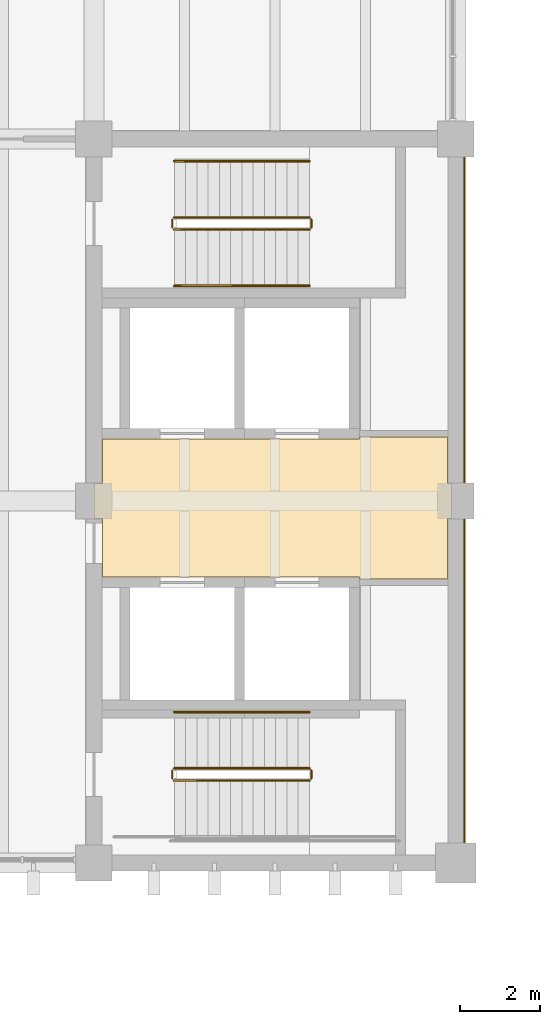
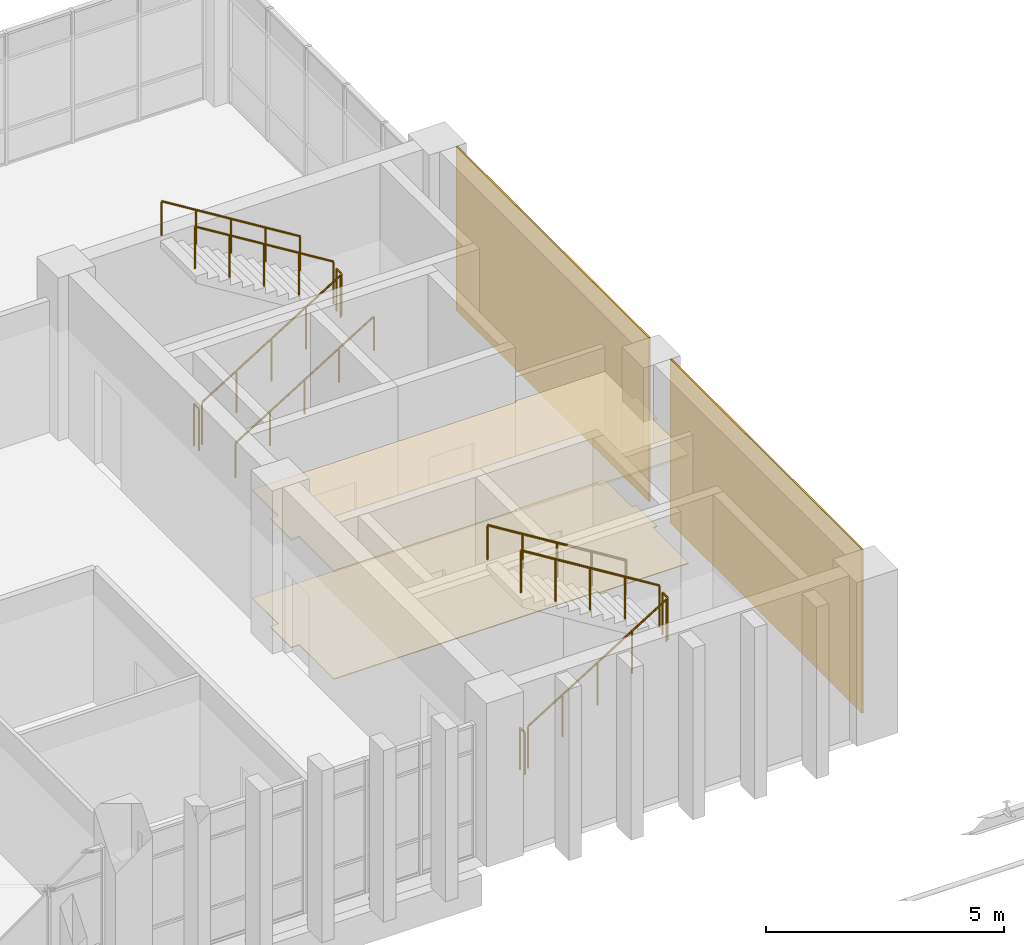
# One storey, part 73 of 74: 11 railings, 4 coverings.
"""IFC4 building model written with IfcOpenShell, lengths in metres."""

from ifc_helpers import new_model, si_unit, direction, frame, origin, origin_2d, place, context, subcontext, project, spatial, polyline, rectangle, circle, outline, extrude, material, layer, layer_set, type_object, element, save


model = new_model("IFC4")

# Units and contexts
model_context = context("Model", 3, precision=1e-05, world=origin(), true_north=direction((0.0, 1.0)))
body_context = subcontext(model_context, "Body", "Model", "MODEL_VIEW")
ifc_project = project(units=[si_unit("LENGTHUNIT", "METRE"), si_unit("AREAUNIT", "SQUARE_METRE"), si_unit("VOLUMEUNIT", "CUBIC_METRE"), si_unit("PLANEANGLEUNIT", "RADIAN"), si_unit("MASSUNIT", "GRAM", prefix="KILO")], contexts=[model_context])

# Site, building, storey
site_placement = place(None, origin())
site = spatial("IfcSite", under=ifc_project, at=site_placement, CompositionType="ELEMENT")
building_placement = place(site_placement, origin())
building = spatial("IfcBuilding", under=site, at=building_placement, Name="Merrow Basin Faculty of Sciences", CompositionType="ELEMENT")
storey_placement = place(building_placement, frame((0.0, 0.0, 13.5)))
storey = spatial("IfcBuildingStorey", under=building, at=storey_placement, Name="L03", CompositionType="ELEMENT", Elevation=13.5)

# Covering
ifc_material_1 = material(Name="Polished terrazzo floor")
ifc_layer_1 = layer(ifc_material_1, 0.02001953125)
ifc_layer_set_1 = layer_set([ifc_layer_1], Name="Polished terrazzo floor")
covering_type_1 = type_object("IfcCoveringType", Name="Polished terrazzo floor", PredefinedType="FLOORING", material=ifc_layer_set_1)
covering_1_placement = place(storey_placement, origin())
element("IfcCovering", 1, at=covering_1_placement, inside=storey, type_object=covering_type_1, Name="Floor finish L03-T-007", PredefinedType="FLOORING", context=body_context, shape_type="SweptSolid", body=[
    extrude(outline(polyline([(45.010009765625, 151.43994140625), (45.2099609375, 151.43994140625), (45.2099609375, 152.5400390625), (51.610107421875, 152.5400390625), (51.610107421875, 152.590087890625), (53.7900390625, 152.590087890625), (53.7900390625, 151.43994140625), (53.889892578125, 151.43994140625), (53.889892578125, 150.56005859375), (53.7900390625, 150.56005859375), (53.7900390625, 149.06005859375), (51.610107421875, 149.06005859375), (51.610107421875, 149.110107421875), (45.2099609375, 149.110107421875), (45.2099609375, 150.56005859375), (45.010009765625, 150.56005859375), (45.010009765625, 151.43994140625)])), origin(), (0.0, 0.0, 1.0), 0.02001953125),
])

# Railings
ifc_material_2 = material(Name="Steel ASTM A36", Category="steel")
railing_type_1 = type_object("IfcRailingType", Name="Steel guard 1100", PredefinedType="GUARDRAIL", material=ifc_material_2)
railing_1_placement = place(storey_placement, frame((47.0, 157.75, 0.173095703125)))
element("IfcRailing", 2, at=railing_1_placement, inside=storey, type_object=railing_type_1, Name="L03 ST-V5-S stair guard 1", PredefinedType="GUARDRAIL", context=body_context, shape_type="SweptSolid", body=[
    extrude(circle(Radius=0.02392578125, at=origin_2d()), frame((0.0, 0.0, 1.076171875), z_axis=(0.850623216509, 0.0, 0.525775754039), x_axis=(0.0, 1.0, 0.0)), (0.0, 0.0, 1.0), 3.9501953125),
    extrude(circle(Radius=0.02099609375, at=origin_2d()), origin(), (0.0, 0.0, 1.0), 1.052001953125),
    extrude(circle(Radius=0.02099609375, at=origin_2d()), frame((0.840087890625, 0.0, 0.519287109375)), (0.0, 0.0, 1.0), 1.052001953125),
    extrude(circle(Radius=0.02099609375, at=origin_2d()), frame((1.68017578125, 0.0, 1.03857421875)), (0.0, 0.0, 1.0), 1.052001953125),
    extrude(circle(Radius=0.02099609375, at=origin_2d()), frame((2.52001953125, 0.0, 1.5576171875)), (0.0, 0.0, 1.0), 1.052001953125),
    extrude(circle(Radius=0.02099609375, at=origin_2d()), frame((3.360107421875, 0.0, 2.076904296875)), (0.0, 0.0, 1.0), 1.052001953125),
])
railing_2_placement = place(storey_placement, frame((50.409912109375, 157.800048828125, 2.25)))
element("IfcRailing", 3, at=railing_2_placement, inside=storey, type_object=railing_type_1, Name="L03 ST-V5-S stair guard 2", PredefinedType="GUARDRAIL", context=body_context, shape_type="SweptSolid", body=[
    extrude(circle(Radius=0.02392578125, at=origin_2d()), frame((0.0, 0.0, 1.076171875), z_axis=(0.0, 1.0, 0.0), x_axis=(-1.0, 0.0, 0.0)), (0.0, 0.0, 1.0), 0.199951171875),
    extrude(circle(Radius=0.02099609375, at=origin_2d()), origin(), (0.0, 0.0, 1.0), 1.052001953125),
    extrude(circle(Radius=0.02099609375, at=origin_2d()), frame((0.0, 0.199951171875, 0.0)), (0.0, 0.0, 1.0), 1.052001953125),
])
railing_3_placement = place(storey_placement, frame((50.360107421875, 158.050048828125, 2.423095703125)))
element("IfcRailing", 4, at=railing_3_placement, inside=storey, type_object=railing_type_1, Name="L03 ST-V5-S stair guard 3", PredefinedType="GUARDRAIL", context=body_context, shape_type="SweptSolid", body=[
    extrude(circle(Radius=0.02392578125, at=origin_2d()), frame((0.0, 0.0, 1.076171875), z_axis=(-0.850623216509, 0.0, 0.525775754039), x_axis=(0.0, -1.0, 0.0)), (0.0, 0.0, 1.0), 3.9501953125),
    extrude(circle(Radius=0.02099609375, at=origin_2d()), origin(), (0.0, 0.0, 1.0), 1.052001953125),
    extrude(circle(Radius=0.02099609375, at=origin_2d()), frame((-0.840087890625, 0.0, 0.519287109375)), (0.0, 0.0, 1.0), 1.052001953125),
    extrude(circle(Radius=0.02099609375, at=origin_2d()), frame((-1.68017578125, 0.0, 1.03857421875)), (0.0, 0.0, 1.0), 1.052001953125),
    extrude(circle(Radius=0.02099609375, at=origin_2d()), frame((-2.52001953125, 0.0, 1.5576171875)), (0.0, 0.0, 1.0), 1.052001953125),
    extrude(circle(Radius=0.02099609375, at=origin_2d()), frame((-3.360107421875, 0.0, 2.076904296875)), (0.0, 0.0, 1.0), 1.052001953125),
])
railing_4_placement = place(storey_placement, frame((46.949951171875, 157.800048828125, 0.0)))
element("IfcRailing", 5, at=railing_4_placement, inside=storey, type_object=railing_type_1, Name="L03 ST-V5-S stair guard 4", PredefinedType="GUARDRAIL", context=body_context, shape_type="SweptSolid", body=[
    extrude(circle(Radius=0.02392578125, at=origin_2d()), frame((0.0, 0.0, 1.076171875), z_axis=(0.0, 1.0, 0.0), x_axis=(-1.0, 0.0, 0.0)), (0.0, 0.0, 1.0), 0.199951171875),
    extrude(circle(Radius=0.02099609375, at=origin_2d()), origin(), (0.0, 0.0, 1.0), 1.052001953125),
    extrude(circle(Radius=0.02099609375, at=origin_2d()), frame((0.0, 0.199951171875, 0.0)), (0.0, 0.0, 1.0), 1.052001953125),
])
railing_5_placement = place(storey_placement, frame((47.0, 144.050048828125, 0.173095703125)))
element("IfcRailing", 6, at=railing_5_placement, inside=storey, type_object=railing_type_1, Name="L03 ST-V5-N stair guard 1", PredefinedType="GUARDRAIL", context=body_context, shape_type="SweptSolid", body=[
    extrude(circle(Radius=0.02392578125, at=origin_2d()), frame((0.0, 0.0, 1.076171875), z_axis=(0.850623216509, 0.0, 0.525775754039), x_axis=(0.0, 1.0, 0.0)), (0.0, 0.0, 1.0), 3.9501953125),
    extrude(circle(Radius=0.02099609375, at=origin_2d()), origin(), (0.0, 0.0, 1.0), 1.052001953125),
    extrude(circle(Radius=0.02099609375, at=origin_2d()), frame((0.840087890625, 0.0, 0.519287109375)), (0.0, 0.0, 1.0), 1.052001953125),
    extrude(circle(Radius=0.02099609375, at=origin_2d()), frame((1.68017578125, 0.0, 1.03857421875)), (0.0, 0.0, 1.0), 1.052001953125),
    extrude(circle(Radius=0.02099609375, at=origin_2d()), frame((2.52001953125, 0.0, 1.5576171875)), (0.0, 0.0, 1.0), 1.052001953125),
    extrude(circle(Radius=0.02099609375, at=origin_2d()), frame((3.360107421875, 0.0, 2.076904296875)), (0.0, 0.0, 1.0), 1.052001953125),
])
railing_6_placement = place(storey_placement, frame((50.409912109375, 144.10009765625, 2.25)))
element("IfcRailing", 7, at=railing_6_placement, inside=storey, type_object=railing_type_1, Name="L03 ST-V5-N stair guard 2", PredefinedType="GUARDRAIL", context=body_context, shape_type="SweptSolid", body=[
    extrude(circle(Radius=0.02392578125, at=origin_2d()), frame((0.0, 0.0, 1.076171875), z_axis=(0.0, 1.0, 0.0), x_axis=(-1.0, 0.0, 0.0)), (0.0, 0.0, 1.0), 0.199951171875),
    extrude(circle(Radius=0.02099609375, at=origin_2d()), origin(), (0.0, 0.0, 1.0), 1.052001953125),
    extrude(circle(Radius=0.02099609375, at=origin_2d()), frame((0.0, 0.199951171875, 0.0)), (0.0, 0.0, 1.0), 1.052001953125),
])
railing_7_placement = place(storey_placement, frame((50.360107421875, 144.35009765625, 2.423095703125)))
element("IfcRailing", 8, at=railing_7_placement, inside=storey, type_object=railing_type_1, Name="L03 ST-V5-N stair guard 4", PredefinedType="GUARDRAIL", context=body_context, shape_type="SweptSolid", body=[
    extrude(circle(Radius=0.02392578125, at=origin_2d()), frame((0.0, 0.0, 1.076171875), z_axis=(-0.850623216509, 0.0, 0.525775754039), x_axis=(0.0, -1.0, 0.0)), (0.0, 0.0, 1.0), 3.9501953125),
    extrude(circle(Radius=0.02099609375, at=origin_2d()), origin(), (0.0, 0.0, 1.0), 1.052001953125),
    extrude(circle(Radius=0.02099609375, at=origin_2d()), frame((-0.840087890625, 0.0, 0.519287109375)), (0.0, 0.0, 1.0), 1.052001953125),
    extrude(circle(Radius=0.02099609375, at=origin_2d()), frame((-1.68017578125, 0.0, 1.03857421875)), (0.0, 0.0, 1.0), 1.052001953125),
    extrude(circle(Radius=0.02099609375, at=origin_2d()), frame((-2.52001953125, 0.0, 1.5576171875)), (0.0, 0.0, 1.0), 1.052001953125),
    extrude(circle(Radius=0.02099609375, at=origin_2d()), frame((-3.360107421875, 0.0, 2.076904296875)), (0.0, 0.0, 1.0), 1.052001953125),
])
railing_8_placement = place(storey_placement, frame((46.949951171875, 144.10009765625, 0.0)))
element("IfcRailing", 9, at=railing_8_placement, inside=storey, type_object=railing_type_1, Name="L03 ST-V5-N stair guard 5", PredefinedType="GUARDRAIL", context=body_context, shape_type="SweptSolid", body=[
    extrude(circle(Radius=0.02392578125, at=origin_2d()), frame((0.0, 0.0, 1.076171875), z_axis=(0.0, 1.0, 0.0), x_axis=(-1.0, 0.0, 0.0)), (0.0, 0.0, 1.0), 0.199951171875),
    extrude(circle(Radius=0.02099609375, at=origin_2d()), origin(), (0.0, 0.0, 1.0), 1.052001953125),
    extrude(circle(Radius=0.02099609375, at=origin_2d()), frame((0.0, 0.199951171875, 0.0)), (0.0, 0.0, 1.0), 1.052001953125),
])
ifc_material_3 = material(Name="Steel ASTM A36", Category="steel")
railing_type_2 = type_object("IfcRailingType", Name="Steel handrail 900", PredefinedType="HANDRAIL", material=ifc_material_3)
railing_9_placement = place(storey_placement, frame((47.0, 156.35009765625, 0.173095703125)))
element("IfcRailing", 10, at=railing_9_placement, inside=storey, type_object=railing_type_2, Name="L03 ST-V5-S stair handrail 1", PredefinedType="HANDRAIL", context=body_context, shape_type="SweptSolid", body=[
    extrude(circle(Radius=0.02392578125, at=origin_2d()), frame((0.0, 0.0, 0.8759765625), z_axis=(0.850623216509, 0.0, 0.525775754039), x_axis=(0.0, 1.0, 0.0)), (0.0, 0.0, 1.0), 3.9501953125),
    extrude(circle(Radius=0.02099609375, at=origin_2d()), origin(), (0.0, 0.0, 1.0), 0.851806640625),
    extrude(circle(Radius=0.02099609375, at=origin_2d()), frame((0.840087890625, 0.0, 0.519287109375)), (0.0, 0.0, 1.0), 0.851806640625),
    extrude(circle(Radius=0.02099609375, at=origin_2d()), frame((1.68017578125, 0.0, 1.03857421875)), (0.0, 0.0, 1.0), 0.851806640625),
    extrude(circle(Radius=0.02099609375, at=origin_2d()), frame((2.52001953125, 0.0, 1.5576171875)), (0.0, 0.0, 1.0), 0.851806640625),
    extrude(circle(Radius=0.02099609375, at=origin_2d()), frame((3.360107421875, 0.0, 2.076904296875)), (0.0, 0.0, 1.0), 0.851806640625),
])
for number, where, name in (
    (11, (50.360107421875, 159.449951171875, 2.423095703125), "L03 ST-V5-S stair handrail 2"),
    (12, (50.360107421875, 145.75, 2.423095703125), "L03 ST-V5-N stair handrail 2"),
):
    element("IfcRailing", number, at=place(storey_placement, frame(where)), inside=storey, type_object=railing_type_2, Name=name, PredefinedType="HANDRAIL", context=body_context, shape_type="SweptSolid", body=[
        extrude(circle(Radius=0.02392578125, at=origin_2d()), frame((0.0, 0.0, 0.8759765625), z_axis=(-0.850623216509, 0.0, 0.525775754039), x_axis=(0.0, -1.0, 0.0)), (0.0, 0.0, 1.0), 3.9501953125),
        extrude(circle(Radius=0.02099609375, at=origin_2d()), origin(), (0.0, 0.0, 1.0), 0.851806640625),
        extrude(circle(Radius=0.02099609375, at=origin_2d()), frame((-0.840087890625, 0.0, 0.519287109375)), (0.0, 0.0, 1.0), 0.851806640625),
        extrude(circle(Radius=0.02099609375, at=origin_2d()), frame((-1.68017578125, 0.0, 1.03857421875)), (0.0, 0.0, 1.0), 0.851806640625),
        extrude(circle(Radius=0.02099609375, at=origin_2d()), frame((-2.52001953125, 0.0, 1.5576171875)), (0.0, 0.0, 1.0), 0.851806640625),
        extrude(circle(Radius=0.02099609375, at=origin_2d()), frame((-3.360107421875, 0.0, 2.076904296875)), (0.0, 0.0, 1.0), 0.851806640625),
    ])

# Coverings
ifc_material_4 = material(Name="Mineral fibre ceiling tile")
ifc_layer_2 = layer(ifc_material_4, 0.050048828125)
ifc_layer_set_2 = layer_set([ifc_layer_2], Name="Suspended acoustic ceiling tile")
covering_type_2 = type_object("IfcCoveringType", Name="Suspended acoustic ceiling tile", PredefinedType="CEILING", material=ifc_layer_set_2)
covering_2_placement = place(storey_placement, frame((0.0, 0.0, 2.75)))
element("IfcCovering", 13, at=covering_2_placement, inside=storey, type_object=covering_type_2, Name="Ceiling L03-T-007", PredefinedType="CEILING", context=body_context, shape_type="SweptSolid", body=[
    extrude(outline(polyline([(45.010009765625, 151.43994140625), (45.2099609375, 151.43994140625), (45.2099609375, 152.5400390625), (51.610107421875, 152.5400390625), (51.610107421875, 152.590087890625), (53.7900390625, 152.590087890625), (53.7900390625, 151.43994140625), (53.889892578125, 151.43994140625), (53.889892578125, 150.56005859375), (53.7900390625, 150.56005859375), (53.7900390625, 149.06005859375), (51.610107421875, 149.06005859375), (51.610107421875, 149.110107421875), (45.2099609375, 149.110107421875), (45.2099609375, 150.56005859375), (45.010009765625, 150.56005859375), (45.010009765625, 151.43994140625)])), origin(), (0.0, 0.0, 1.0), 0.050048828125),
])
ifc_material_5 = material(Name="White powder-coated aluminium", Category="aluminium")
ifc_layer_3 = layer(ifc_material_5, 0.0400390625)
ifc_layer_set_3 = layer_set([ifc_layer_3], Name="White precast cladding 40")
covering_type_3 = type_object("IfcCoveringType", Name="White precast cladding 40", PredefinedType="CLADDING", material=ifc_layer_set_3)
covering_3_placement = place(storey_placement, frame((54.219970703125, 155.5, 0.0), z_axis=(0.0, 0.0, 1.0), x_axis=(1.0, 0.0, 0.0)))
element("IfcCovering", 14, at=covering_3_placement, inside=storey, type_object=covering_type_3, Name="White core cladding", PredefinedType="CLADDING", context=body_context, shape_type="SweptSolid", body=[
    extrude(rectangle(XDim=0.0400390625, YDim=8.10009765625, at=origin_2d()), origin(), (0.0, 0.0, 1.0), 4.199951171875),
])
covering_4_placement = place(storey_placement, frame((54.219970703125, 146.52490234375, 0.0), z_axis=(0.0, 0.0, 1.0), x_axis=(1.0, 0.0, 0.0)))
element("IfcCovering", 15, at=covering_4_placement, inside=storey, type_object=covering_type_3, Name="White core cladding", PredefinedType="CLADDING", context=body_context, shape_type="SweptSolid", body=[
    extrude(rectangle(XDim=0.0400390625, YDim=8.050048828125, at=origin_2d()), origin(), (0.0, 0.0, 1.0), 4.199951171875),
])

save(model, "model.ifc")
